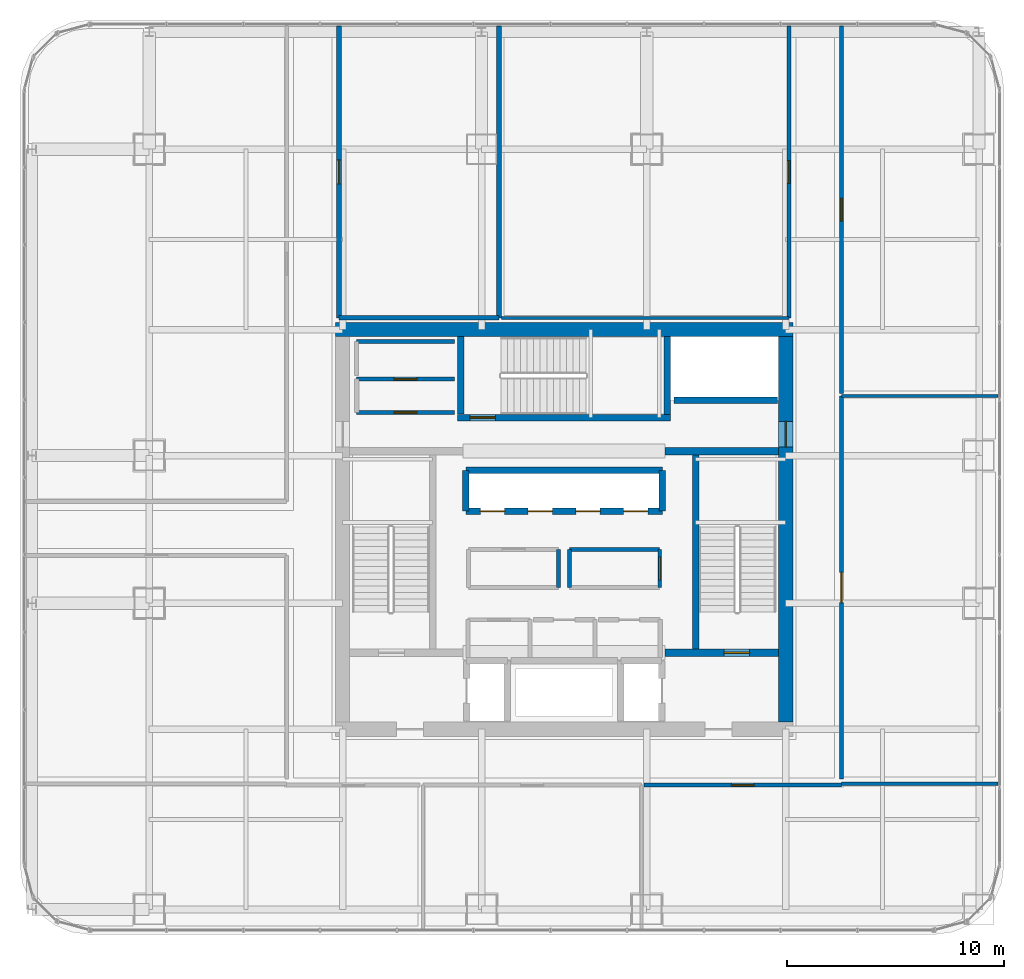
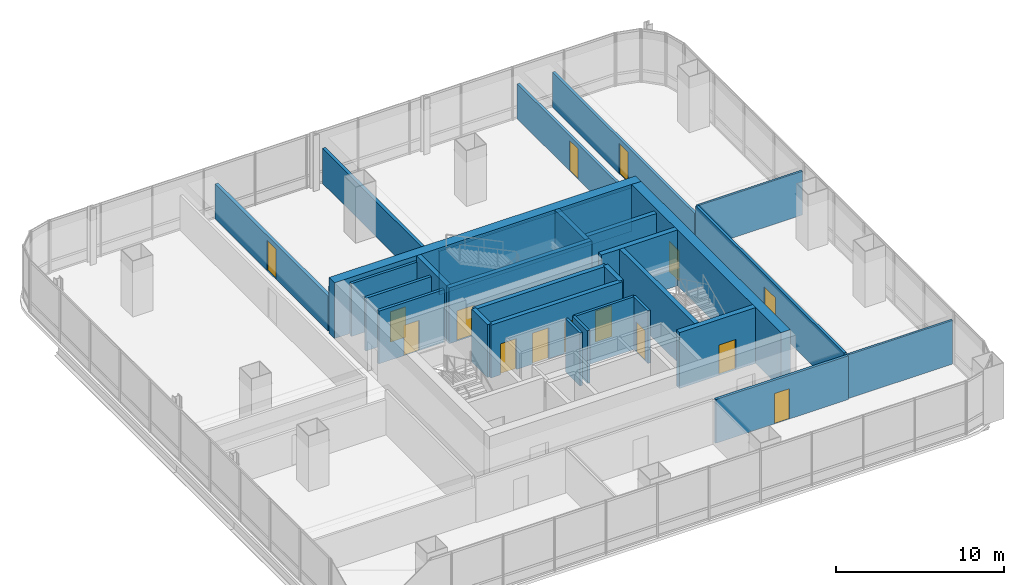
# One storey, part 31 of 37: 30 walls, 15 doors, 15 openings.
"""IFC4 building model written with IfcOpenShell, lengths in metres."""

from ifc_helpers import new_model, si_unit, direction, frame, frame_2d, origin, place, context, subcontext, project, spatial, rectangle, extrude, material, layer, layer_set, type_object, element, fill, save


model = new_model("IFC4")

# Units and contexts
model_context = context("Model", 3, precision=1e-05, world=origin(), true_north=direction((0.0, 1.0)))
body_context = subcontext(model_context, "Body", "Model", "MODEL_VIEW")
ifc_project = project(units=[si_unit("LENGTHUNIT", "METRE"), si_unit("AREAUNIT", "SQUARE_METRE"), si_unit("VOLUMEUNIT", "CUBIC_METRE"), si_unit("PLANEANGLEUNIT", "RADIAN"), si_unit("MASSUNIT", "GRAM", prefix="KILO")], contexts=[model_context])

# Site, building, storey
site_placement = place(None, origin())
site = spatial("IfcSite", under=ifc_project, at=site_placement, CompositionType="ELEMENT")
building_placement = place(site_placement, origin())
building = spatial("IfcBuilding", under=site, at=building_placement, Name="Punatoya Terracotta Tower", CompositionType="ELEMENT")
storey_placement = place(building_placement, frame((0.0, 0.0, 164.10009765625)))
storey = spatial("IfcBuildingStorey", under=building, at=storey_placement, Name="L38", CompositionType="ELEMENT", Elevation=164.10009765625)

# Wall
ifc_material_1 = material(Name="Concrete C60/75", Category="concrete")
ifc_layer_1 = layer(ifc_material_1, 0.64990234375)
ifc_layer_set_1 = layer_set([ifc_layer_1], Name="Concrete C60/75")
wall_type_1 = type_object("IfcWallType", Name="WL-COR-650", PredefinedType="SHEAR", material=ifc_layer_set_1)
wall_1_placement = place(storey_placement, frame((-10.52490234375, 9.199951171875, 0.0), z_axis=(0.0, 0.0, 1.0), x_axis=(1.0, 0.0, 0.0)))
element("IfcWall", 1, at=wall_1_placement, inside=storey, type_object=wall_type_1, Name="L38 Core Shear Wall N", PredefinedType="SHEAR", context=body_context, shape_type="SweptSolid", body=[
    extrude(rectangle(XDim=21.0498046875, YDim=0.64990234375, at=frame_2d((10.52490234375, 0.0))), origin(), (0.0, 0.0, 1.0), 4.0498046875),
])

# Wall, opening, door
wall_2_placement = place(storey_placement, frame((10.199951171875, 8.875, 0.0), z_axis=(0.0, 0.0, 1.0), x_axis=(0.0, -1.0, 0.0)))
wall_2 = element("IfcWall", 2, at=wall_2_placement, inside=storey, type_object=wall_type_1, Name="L38 Core Shear Wall E", PredefinedType="SHEAR", context=body_context, shape_type="SweptSolid", body=[
    extrude(rectangle(XDim=17.75, YDim=0.64990234375, at=frame_2d((8.875, 0.0))), origin(), (0.0, 0.0, 1.0), 4.0498046875),
])
opening_1_placement = place(wall_2_placement, frame((3.905029296875, 0.0, 0.0)))
opening_1 = element("IfcOpeningElement", 3, at=opening_1_placement, cuts=wall_2, Name="Opening SD-01", PredefinedType="OPENING", context=body_context, shape_type="SweptSolid", body=[
    extrude(rectangle(XDim=1.179931640625, YDim=2.199951171875, at=frame_2d((0.58984375, 1.10009765625))), frame((0.0, 0.3349609375, 0.0), z_axis=(0.0, -1.0, 0.0), x_axis=(1.0, 0.0, 0.0)), (0.0, 0.0, 1.0), 0.669921875),
])
ifc_material_2 = material(Name="Galvanised Steel Pressurized Stair Fire Door", Category="steel")
door_type_1 = type_object("IfcDoorType", Name="DR-STR-1180", OperationType="NOTDEFINED", PredefinedType="DOOR", material=ifc_material_2)
door_1_placement = place(opening_1_placement, origin())
door_1 = element("IfcDoor", 4, at=door_1_placement, inside=storey, type_object=door_type_1, Name="L38 Central Lift Lobby East Fire Door", OperationType="SINGLE_SWING_RIGHT", OverallHeight=2.199951171875, OverallWidth=1.179931640625, PredefinedType="DOOR", context=body_context, shape_type="SweptSolid", body=[
    extrude(rectangle(XDim=1.179931640625, YDim=2.199951171875, at=frame_2d((0.58984375, 1.10009765625))), frame((0.0, 0.02490234375, 0.0), z_axis=(0.0, -1.0, 0.0), x_axis=(1.0, 0.0, 0.0)), (0.0, 0.0, 1.0), 0.050048828125),
])
fill(opening_1, door_1)

# Wall
ifc_material_3 = material(Name="Gypsum Fireboard + Steel Stud", Category="steel")
ifc_layer_2 = layer(ifc_material_3, 0.179931640625)
ifc_layer_set_2 = layer_set([ifc_layer_2], Name="Gypsum Fireboard + Steel Stud")
wall_type_2 = type_object("IfcWallType", Name="WL-CORR-180", PredefinedType="PARTITIONING", material=ifc_layer_set_2)
wall_3_placement = place(storey_placement, frame((-0.25, -2.679931640625, 0.0), z_axis=(0.0, 0.0, 1.0), x_axis=(0.0, 1.0, 0.0)))
element("IfcWall", 5, at=wall_3_placement, inside=storey, type_object=wall_type_2, Name="L38 West Core Focus Pod Partition 08", PredefinedType="PARTITIONING", context=body_context, shape_type="SweptSolid", body=[
    extrude(rectangle(XDim=1.760009765625, YDim=0.179931640625, at=frame_2d((0.8798828125, 0.0))), origin(), (0.0, 0.0, 1.0), 3.829833984375),
])

# Wall, opening, door
wall_4_placement = place(storey_placement, frame((4.39990234375, -2.679931640625, 0.0), z_axis=(0.0, 0.0, 1.0), x_axis=(0.0, 1.0, 0.0)))
wall_4 = element("IfcWall", 6, at=wall_4_placement, inside=storey, type_object=wall_type_2, Name="L38 East Core Wellness Room Partition 12", PredefinedType="PARTITIONING", context=body_context, shape_type="SweptSolid", body=[
    extrude(rectangle(XDim=1.760009765625, YDim=0.179931640625, at=frame_2d((0.8798828125, 0.0))), origin(), (0.0, 0.0, 1.0), 3.829833984375),
])
opening_2_placement = place(wall_4_placement, frame((0.35498046875, 0.0, 0.0)))
opening_2 = element("IfcOpeningElement", 7, at=opening_2_placement, cuts=wall_4, Name="Opening OD-01", PredefinedType="OPENING", context=body_context, shape_type="SweptSolid", body=[
    extrude(rectangle(XDim=1.050048828125, YDim=2.199951171875, at=frame_2d((0.52490234375, 1.10009765625))), frame((0.0, 0.099853515625, 0.0), z_axis=(0.0, -1.0, 0.0), x_axis=(1.0, 0.0, 0.0)), (0.0, 0.0, 1.0), 0.199951171875),
])
ifc_material_4 = material(Name="Bengal Teak Solid-Core Leaf")
door_type_2 = type_object("IfcDoorType", Name="DR-OFF-1050", OperationType="NOTDEFINED", PredefinedType="DOOR", material=ifc_material_4)
door_2_placement = place(opening_2_placement, origin())
door_2 = element("IfcDoor", 8, at=door_2_placement, inside=storey, type_object=door_type_2, Name="L38 East Wellness Room Door", OperationType="SINGLE_SWING_LEFT", OverallHeight=2.199951171875, OverallWidth=1.050048828125, PredefinedType="DOOR", context=body_context, shape_type="SweptSolid", body=[
    extrude(rectangle(XDim=1.050048828125, YDim=2.199951171875, at=frame_2d((0.52490234375, 1.10009765625))), frame((0.0, 0.02490234375, 0.0), z_axis=(0.0, -1.0, 0.0), x_axis=(1.0, 0.0, 0.0)), (0.0, 0.0, 1.0), 0.050048828125),
])
fill(opening_2, door_2)

# Walls
wall_5_placement = place(storey_placement, frame((4.39990234375, -0.919921875, 0.0), z_axis=(0.0, 0.0, 1.0), x_axis=(-1.0, 0.0, 0.0)))
element("IfcWall", 9, at=wall_5_placement, inside=storey, type_object=wall_type_2, Name="L38 East Core Wellness Room Partition 13", PredefinedType="PARTITIONING", context=body_context, shape_type="SweptSolid", body=[
    extrude(rectangle(XDim=4.14990234375, YDim=0.179931640625, at=frame_2d((2.074951171875, 0.0))), origin(), (0.0, 0.0, 1.0), 3.829833984375),
])
wall_6_placement = place(storey_placement, frame((0.25, -0.919921875, 0.0), z_axis=(0.0, 0.0, 1.0), x_axis=(0.0, -1.0, 0.0)))
element("IfcWall", 10, at=wall_6_placement, inside=storey, type_object=wall_type_2, Name="L38 East Core Wellness Room Partition 14", PredefinedType="PARTITIONING", context=body_context, shape_type="SweptSolid", body=[
    extrude(rectangle(XDim=1.760009765625, YDim=0.179931640625, at=frame_2d((0.8798828125, 0.0))), origin(), (0.0, 0.0, 1.0), 3.829833984375),
])
wall_7_placement = place(storey_placement, frame((-5.050048828125, 8.64990234375, 0.0), z_axis=(0.0, 0.0, 1.0), x_axis=(-1.0, 0.0, 0.0)))
element("IfcWall", 11, at=wall_7_placement, inside=storey, type_object=wall_type_2, Name="L38 West Core Copy Room Partition 19", PredefinedType="PARTITIONING", context=body_context, shape_type="SweptSolid", body=[
    extrude(rectangle(XDim=4.5, YDim=0.179931640625, at=frame_2d((2.25, 0.0))), origin(), (0.0, 0.0, 1.0), 3.829833984375),
])

# Wall, opening, door
wall_8_placement = place(storey_placement, frame((3.678955078125, -11.77001953125, 0.0), z_axis=(0.0, 0.0, 1.0), x_axis=(1.0, 0.0, 0.0)))
wall_8 = element("IfcWall", 12, at=wall_8_placement, inside=storey, type_object=wall_type_2, Name="L38 Open-Plan Materials Testing Laboratory Partition 27", PredefinedType="PARTITIONING", context=body_context, shape_type="SweptSolid", body=[
    extrude(rectangle(XDim=9.091064453125, YDim=0.179931640625, at=frame_2d((4.54541015625, 0.0))), origin(), (0.0, 0.0, 1.0), 3.173828125),
])
opening_3_placement = place(wall_8_placement, frame((4.0205078125, 0.0, 0.0)))
opening_3 = element("IfcOpeningElement", 13, at=opening_3_placement, cuts=wall_8, Name="Opening OD-01", PredefinedType="OPENING", context=body_context, shape_type="SweptSolid", body=[
    extrude(rectangle(XDim=1.050048828125, YDim=2.199951171875, at=frame_2d((0.52490234375, 1.10009765625))), frame((0.0, 0.099853515625, 0.0), z_axis=(0.0, -1.0, 0.0), x_axis=(1.0, 0.0, 0.0)), (0.0, 0.0, 1.0), 0.199951171875),
])
door_3_placement = place(opening_3_placement, origin())
door_3 = element("IfcDoor", 14, at=door_3_placement, inside=storey, type_object=door_type_2, Name="L38 Open-Plan Materials Testing Laboratory Door", OperationType="SINGLE_SWING_RIGHT", OverallHeight=2.199951171875, OverallWidth=1.050048828125, PredefinedType="DOOR", context=body_context, shape_type="SweptSolid", body=[
    extrude(rectangle(XDim=1.050048828125, YDim=2.199951171875, at=frame_2d((0.52490234375, 1.10009765625))), frame((0.0, 0.02490234375, 0.0), z_axis=(0.0, -1.0, 0.0), x_axis=(1.0, 0.0, 0.0)), (0.0, 0.0, 1.0), 0.050048828125),
])
fill(opening_3, door_3)

wall_9_placement = place(storey_placement, frame((12.77001953125, -11.489990234375, 0.0), z_axis=(0.0, 0.0, 1.0), x_axis=(0.0, 1.0, 0.0)))
wall_9 = element("IfcWall", 15, at=wall_9_placement, inside=storey, type_object=wall_type_2, Name="L38 Open-Plan Technical Seminar Room Partition 31", PredefinedType="PARTITIONING", context=body_context, shape_type="SweptSolid", body=[
    extrude(rectangle(XDim=17.6298828125, YDim=0.179931640625, at=frame_2d((8.81494140625, 0.0))), origin(), (0.0, 0.0, 1.0), 3.173828125),
])
opening_4_placement = place(wall_9_placement, frame((8.114990234375, 0.0, 0.0)))
opening_4 = element("IfcOpeningElement", 16, at=opening_4_placement, cuts=wall_9, Name="Opening BD-01", PredefinedType="OPENING", context=body_context, shape_type="SweptSolid", body=[
    extrude(rectangle(XDim=1.39990234375, YDim=2.25, at=frame_2d((0.699951171875, 1.125))), frame((0.0, 0.099853515625, 0.0), z_axis=(0.0, -1.0, 0.0), x_axis=(1.0, 0.0, 0.0)), (0.0, 0.0, 1.0), 0.199951171875),
])
ifc_material_5 = material(Name="Bengal Teak Acoustic Leaf")
door_type_3 = type_object("IfcDoorType", Name="DR-BRD-1400", OperationType="NOTDEFINED", PredefinedType="DOOR", material=ifc_material_5)
door_4_placement = place(opening_4_placement, origin())
door_4 = element("IfcDoor", 17, at=door_4_placement, inside=storey, type_object=door_type_3, Name="L38 Open-Plan Technical Seminar Room Door", OperationType="SINGLE_SWING_RIGHT", OverallHeight=2.25, OverallWidth=1.39990234375, PredefinedType="DOOR", context=body_context, shape_type="SweptSolid", body=[
    extrude(rectangle(XDim=1.39990234375, YDim=2.25, at=frame_2d((0.699951171875, 1.125))), frame((0.0, 0.02490234375, 0.0), z_axis=(0.0, -1.0, 0.0), x_axis=(1.0, 0.0, 0.0)), (0.0, 0.0, 1.0), 0.050048828125),
])
fill(opening_4, door_4)

wall_10_placement = place(storey_placement, frame((12.77001953125, 6.260009765625, 0.0), z_axis=(0.0, 0.0, 1.0), x_axis=(0.0, 1.0, 0.0)))
wall_10 = element("IfcWall", 18, at=wall_10_placement, inside=storey, type_object=wall_type_2, Name="L38 Open-Plan Wellness Rest Room Partition 34", PredefinedType="PARTITIONING", context=body_context, shape_type="SweptSolid", body=[
    extrude(rectangle(XDim=16.909912109375, YDim=0.179931640625, at=frame_2d((8.455078125, 0.0))), origin(), (0.0, 0.0, 1.0), 2.5439453125),
])
opening_5_placement = place(wall_10_placement, frame((7.929931640625, 0.0, 0.0)))
opening_5 = element("IfcOpeningElement", 19, at=opening_5_placement, cuts=wall_10, Name="Opening OD-01", PredefinedType="OPENING", context=body_context, shape_type="SweptSolid", body=[
    extrude(rectangle(XDim=1.050048828125, YDim=2.199951171875, at=frame_2d((0.52490234375, 1.10009765625))), frame((0.0, 0.099853515625, 0.0), z_axis=(0.0, -1.0, 0.0), x_axis=(1.0, 0.0, 0.0)), (0.0, 0.0, 1.0), 0.199951171875),
])
door_5_placement = place(opening_5_placement, origin())
door_5 = element("IfcDoor", 20, at=door_5_placement, inside=storey, type_object=door_type_2, Name="L38 Open-Plan Wellness Rest Room Door", OperationType="SINGLE_SWING_RIGHT", OverallHeight=2.199951171875, OverallWidth=1.050048828125, PredefinedType="DOOR", context=body_context, shape_type="SweptSolid", body=[
    extrude(rectangle(XDim=1.050048828125, YDim=2.199951171875, at=frame_2d((0.52490234375, 1.10009765625))), frame((0.0, 0.02490234375, 0.0), z_axis=(0.0, -1.0, 0.0), x_axis=(1.0, 0.0, 0.0)), (0.0, 0.0, 1.0), 0.050048828125),
])
fill(opening_5, door_5)

wall_11_placement = place(storey_placement, frame((10.360107421875, 23.169921875, 0.0), z_axis=(0.0, 0.0, 1.0), x_axis=(0.0, -1.0, 0.0)))
wall_11 = element("IfcWall", 21, at=wall_11_placement, inside=storey, type_object=wall_type_2, Name="L38 Hydrology Modelling Laboratory Partition 39", PredefinedType="PARTITIONING", context=body_context, shape_type="SweptSolid", body=[
    extrude(rectangle(XDim=13.429931640625, YDim=0.179931640625, at=frame_2d((6.71484375, 0.0))), origin(), (0.0, 0.0, 1.0), 2.5439453125),
])
opening_6_placement = place(wall_11_placement, frame((6.18994140625, 0.0, 0.0)))
opening_6 = element("IfcOpeningElement", 22, at=opening_6_placement, cuts=wall_11, Name="Opening OD-01", PredefinedType="OPENING", context=body_context, shape_type="SweptSolid", body=[
    extrude(rectangle(XDim=1.050048828125, YDim=2.199951171875, at=frame_2d((0.52490234375, 1.10009765625))), frame((0.0, 0.099853515625, 0.0), z_axis=(0.0, -1.0, 0.0), x_axis=(1.0, 0.0, 0.0)), (0.0, 0.0, 1.0), 0.199951171875),
])
door_6_placement = place(opening_6_placement, origin())
door_6 = element("IfcDoor", 23, at=door_6_placement, inside=storey, type_object=door_type_2, Name="L38 Hydrology Modelling Laboratory Door", OperationType="SINGLE_SWING_RIGHT", OverallHeight=2.199951171875, OverallWidth=1.050048828125, PredefinedType="DOOR", context=body_context, shape_type="SweptSolid", body=[
    extrude(rectangle(XDim=1.050048828125, YDim=2.199951171875, at=frame_2d((0.52490234375, 1.10009765625))), frame((0.0, 0.02490234375, 0.0), z_axis=(0.0, -1.0, 0.0), x_axis=(1.0, 0.0, 0.0)), (0.0, 0.0, 1.0), 0.050048828125),
])
fill(opening_6, door_6)

# Walls
ifc_material_6 = material(Name="Concrete C40/50", Category="concrete")
ifc_layer_3 = layer(ifc_material_6, 0.219970703125)
ifc_layer_set_3 = layer_set([ifc_layer_3], Name="Concrete C40/50")
wall_type_3 = type_object("IfcWallType", Name="WL-FIR-220", PredefinedType="SOLIDWALL", material=ifc_layer_set_3)
wall_12_placement = place(storey_placement, frame((-2.993896484375, 23.169921875, 0.0), z_axis=(0.0, 0.0, 1.0), x_axis=(0.0, -1.0, 0.0)))
element("IfcWall", 24, at=wall_12_placement, inside=storey, type_object=wall_type_3, Name="L38 Open-Plan Geospatial Data Archive Partition 35", PredefinedType="SOLIDWALL", context=body_context, shape_type="SweptSolid", body=[
    extrude(rectangle(XDim=13.429931640625, YDim=0.219970703125, at=frame_2d((6.71484375, 0.0))), origin(), (0.0, 0.0, 1.0), 2.5439453125),
])
wall_13_placement = place(storey_placement, frame((-2.993896484375, 9.739990234375, 0.0), z_axis=(0.0, 0.0, 1.0), x_axis=(-1.0, 0.0, 0.0)))
element("IfcWall", 25, at=wall_13_placement, inside=storey, type_object=wall_type_3, Name="L38 Open-Plan Geospatial Data Archive Partition 36", PredefinedType="SOLIDWALL", context=body_context, shape_type="SweptSolid", body=[
    extrude(rectangle(XDim=7.3662109375, YDim=0.219970703125, at=frame_2d((3.68310546875, 0.0))), origin(), (0.0, 0.0, 1.0), 3.173828125),
])

# Wall, opening, door
wall_14_placement = place(storey_placement, frame((-10.360107421875, 9.739990234375, 0.0), z_axis=(0.0, 0.0, 1.0), x_axis=(0.0, 1.0, 0.0)))
wall_14 = element("IfcWall", 26, at=wall_14_placement, inside=storey, type_object=wall_type_3, Name="L38 Open-Plan Geospatial Data Archive Partition 37", PredefinedType="SOLIDWALL", context=body_context, shape_type="SweptSolid", body=[
    extrude(rectangle(XDim=13.429931640625, YDim=0.219970703125, at=frame_2d((6.71484375, 0.0))), origin(), (0.0, 0.0, 1.0), 2.5439453125),
])
opening_7_placement = place(wall_14_placement, frame((6.1650390625, 0.0, 0.0)))
opening_7 = element("IfcOpeningElement", 27, at=opening_7_placement, cuts=wall_14, Name="Opening FD-P1", PredefinedType="OPENING", context=body_context, shape_type="SweptSolid", body=[
    extrude(rectangle(XDim=1.10009765625, YDim=2.199951171875, at=frame_2d((0.550048828125, 1.10009765625))), frame((0.0, 0.119873046875, 0.0), z_axis=(0.0, -1.0, 0.0), x_axis=(1.0, 0.0, 0.0)), (0.0, 0.0, 1.0), 0.239990234375),
])
ifc_material_7 = material(Name="Galvanised Steel Plant Fire Door", Category="steel")
door_type_4 = type_object("IfcDoorType", Name="DR-PLT-1100", OperationType="NOTDEFINED", PredefinedType="DOOR", material=ifc_material_7)
door_7_placement = place(opening_7_placement, origin())
door_7 = element("IfcDoor", 28, at=door_7_placement, inside=storey, type_object=door_type_4, Name="L38 Open-Plan Geospatial Data Archive Fire Door", OperationType="SINGLE_SWING_LEFT", OverallHeight=2.199951171875, OverallWidth=1.10009765625, PredefinedType="DOOR", context=body_context, shape_type="SweptSolid", body=[
    extrude(rectangle(XDim=1.10009765625, YDim=2.199951171875, at=frame_2d((0.550048828125, 1.10009765625))), frame((0.0, 0.02490234375, 0.0), z_axis=(0.0, -1.0, 0.0), x_axis=(1.0, 0.0, 0.0)), (0.0, 0.0, 1.0), 0.050048828125),
])
fill(opening_7, door_7)

ifc_layer_4 = layer(ifc_material_6, 0.199951171875)
ifc_layer_set_4 = layer_set([ifc_layer_4], Name="Concrete C40/50")
wall_type_4 = type_object("IfcWallType", Name="WL-INT-200", PredefinedType="SOLIDWALL", material=ifc_layer_set_4)
wall_15_placement = place(storey_placement, frame((-5.050048828125, 6.919921875, 0.0), z_axis=(0.0, 0.0, 1.0), x_axis=(-1.0, 0.0, 0.0)))
wall_15 = element("IfcWall", 29, at=wall_15_placement, inside=storey, type_object=wall_type_4, Name="L38 West Core Tea Pantry Partition 16", PredefinedType="SOLIDWALL", context=body_context, shape_type="SweptSolid", body=[
    extrude(rectangle(XDim=4.5, YDim=0.199951171875, at=frame_2d((2.25, 0.0))), origin(), (0.0, 0.0, 1.0), 3.829833984375),
])
opening_8_placement = place(wall_15_placement, frame((1.72509765625, 0.0, 0.0)))
opening_8 = element("IfcOpeningElement", 30, at=opening_8_placement, cuts=wall_15, Name="Opening OD-01", PredefinedType="OPENING", context=body_context, shape_type="SweptSolid", body=[
    extrude(rectangle(XDim=1.050048828125, YDim=2.199951171875, at=frame_2d((0.52490234375, 1.10009765625))), frame((0.0, 0.10986328125, 0.0), z_axis=(0.0, -1.0, 0.0), x_axis=(1.0, 0.0, 0.0)), (0.0, 0.0, 1.0), 0.219970703125),
])
door_8_placement = place(opening_8_placement, origin())
door_8 = element("IfcDoor", 31, at=door_8_placement, inside=storey, type_object=door_type_2, Name="L38 West Copy Room Door", OperationType="SINGLE_SWING_LEFT", OverallHeight=2.199951171875, OverallWidth=1.050048828125, PredefinedType="DOOR", context=body_context, shape_type="SweptSolid", body=[
    extrude(rectangle(XDim=1.050048828125, YDim=2.199951171875, at=frame_2d((0.52490234375, 1.10009765625))), frame((0.0, 0.02490234375, 0.0), z_axis=(0.0, -1.0, 0.0), x_axis=(1.0, 0.0, 0.0)), (0.0, 0.0, 1.0), 0.050048828125),
])
fill(opening_8, door_8)

wall_16_placement = place(storey_placement, frame((-9.550048828125, 5.3798828125, 0.0), z_axis=(0.0, 0.0, 1.0), x_axis=(1.0, 0.0, 0.0)))
wall_16 = element("IfcWall", 32, at=wall_16_placement, inside=storey, type_object=wall_type_4, Name="L38 West Core Tea Pantry Partition 18", PredefinedType="SOLIDWALL", context=body_context, shape_type="SweptSolid", body=[
    extrude(rectangle(XDim=4.5, YDim=0.199951171875, at=frame_2d((2.25, 0.0))), origin(), (0.0, 0.0, 1.0), 3.829833984375),
])
opening_9_placement = place(wall_16_placement, frame((1.72509765625, 0.0, 0.0)))
opening_9 = element("IfcOpeningElement", 33, at=opening_9_placement, cuts=wall_16, Name="Opening OD-01", PredefinedType="OPENING", context=body_context, shape_type="SweptSolid", body=[
    extrude(rectangle(XDim=1.050048828125, YDim=2.199951171875, at=frame_2d((0.52490234375, 1.10009765625))), frame((0.0, 0.10986328125, 0.0), z_axis=(0.0, -1.0, 0.0), x_axis=(1.0, 0.0, 0.0)), (0.0, 0.0, 1.0), 0.219970703125),
])
door_9_placement = place(opening_9_placement, origin())
door_9 = element("IfcDoor", 34, at=door_9_placement, inside=storey, type_object=door_type_2, Name="L38 West Tea Pantry Door", OperationType="SINGLE_SWING_RIGHT", OverallHeight=2.199951171875, OverallWidth=1.050048828125, PredefinedType="DOOR", context=body_context, shape_type="SweptSolid", body=[
    extrude(rectangle(XDim=1.050048828125, YDim=2.199951171875, at=frame_2d((0.52490234375, 1.10009765625))), frame((0.0, 0.02490234375, 0.0), z_axis=(0.0, -1.0, 0.0), x_axis=(1.0, 0.0, 0.0)), (0.0, 0.0, 1.0), 0.050048828125),
])
fill(opening_9, door_9)

# Walls
ifc_material_8 = material(Name="Acoustic Gypsum + Steel Stud", Category="steel")
ifc_layer_5 = layer(ifc_material_8, 0.139892578125)
ifc_layer_set_5 = layer_set([ifc_layer_5], Name="Acoustic Gypsum + Steel Stud")
wall_type_5 = type_object("IfcWallType", Name="WL-OFF-140", PredefinedType="PARTITIONING", material=ifc_layer_set_5)
for number, where, z_axis, x_axis, name in (
    (35, (12.77001953125, -11.7099609375, 0.0), (0.0, 0.0, 1.0), (1.0, 0.0, 0.0), "L38 Open-Plan Materials Testing Laboratory Partition 26"),
    (36, (12.77001953125, 6.139892578125, 0.0), (0.0, 0.0, 1.0), (1.0, 0.0, 0.0), "L38 Open-Plan Technical Seminar Room Partition 30"),
):
    element("IfcWall", number, at=place(storey_placement, frame(where, z_axis=z_axis, x_axis=x_axis)), inside=storey, type_object=wall_type_5, Name=name, PredefinedType="PARTITIONING", context=body_context, shape_type="SweptSolid", body=[
        extrude(rectangle(XDim=7.199951171875, YDim=0.139892578125, at=frame_2d((3.60009765625, 0.0))), origin(), (0.0, 0.0, 1.0), 3.173828125),
    ])
wall_17_placement = place(storey_placement, frame((10.360107421875, 9.739990234375, 0.0), z_axis=(0.0, 0.0, 1.0), x_axis=(-1.0, 0.0, 0.0)))
element("IfcWall", 37, at=wall_17_placement, inside=storey, type_object=wall_type_5, Name="L38 Hydrology Modelling Laboratory Partition 38", PredefinedType="PARTITIONING", context=body_context, shape_type="SweptSolid", body=[
    extrude(rectangle(XDim=13.234130859375, YDim=0.139892578125, at=frame_2d((6.6171875, 0.0))), origin(), (0.0, 0.0, 1.0), 3.173828125),
])
ifc_layer_6 = layer(ifc_material_6, 0.300048828125)
ifc_layer_set_6 = layer_set([ifc_layer_6], Name="Concrete C40/50")
wall_type_6 = type_object("IfcWallType", Name="WL-SHF-300", PredefinedType="SOLIDWALL", material=ifc_layer_set_6)
wall_18_placement = place(storey_placement, frame((6.050048828125, 3.449951171875, 0.0), z_axis=(0.0, 0.0, 1.0), x_axis=(0.0, -1.0, 0.0)))
element("IfcWall", 38, at=wall_18_placement, inside=storey, type_object=wall_type_6, Name="L38 Structural Stair Shaft Wall SW-ST2-W", PredefinedType="SOLIDWALL", context=body_context, shape_type="SweptSolid", body=[
    extrude(rectangle(XDim=8.949951171875, YDim=0.300048828125, at=frame_2d((4.47509765625, 0.0))), origin(), (0.0, 0.0, 1.0), 4.0498046875),
])
for number, where, z_axis, x_axis, name in (
    (39, (-4.75, 5.300048828125, 0.0), (0.0, 0.0, 1.0), (0.0, 1.0, 0.0), "L38 Structural Stair Shaft Wall SW-ST3-W"),
    (40, (4.75, 8.875, 0.0), (0.0, 0.0, 1.0), (0.0, -1.0, 0.0), "L38 Structural Stair Shaft Wall SW-ST3-E"),
):
    element("IfcWall", number, at=place(storey_placement, frame(where, z_axis=z_axis, x_axis=x_axis)), inside=storey, type_object=wall_type_6, Name=name, PredefinedType="SOLIDWALL", context=body_context, shape_type="SweptSolid", body=[
        extrude(rectangle(XDim=3.574951171875, YDim=0.300048828125, at=frame_2d((1.78759765625, 0.0))), origin(), (0.0, 0.0, 1.0), 4.0498046875),
    ])

# Wall, opening, door
wall_19_placement = place(storey_placement, frame((-4.89990234375, 5.14990234375, 0.0), z_axis=(0.0, 0.0, 1.0), x_axis=(1.0, 0.0, 0.0)))
wall_19 = element("IfcWall", 41, at=wall_19_placement, inside=storey, type_object=wall_type_6, Name="L38 Structural Stair Shaft Wall SW-ST3-S", PredefinedType="SOLIDWALL", context=body_context, shape_type="SweptSolid", body=[
    extrude(rectangle(XDim=9.7998046875, YDim=0.300048828125, at=frame_2d((4.89990234375, 0.0))), origin(), (0.0, 0.0, 1.0), 4.0498046875),
])
opening_10_placement = place(wall_19_placement, frame((0.56005859375, 0.0, 0.0)))
opening_10 = element("IfcOpeningElement", 42, at=opening_10_placement, cuts=wall_19, Name="Opening SD-01", PredefinedType="OPENING", context=body_context, shape_type="SweptSolid", body=[
    extrude(rectangle(XDim=1.179931640625, YDim=2.199951171875, at=frame_2d((0.58984375, 1.10009765625))), frame((0.0, 0.159912109375, 0.0), z_axis=(0.0, -1.0, 0.0), x_axis=(1.0, 0.0, 0.0)), (0.0, 0.0, 1.0), 0.320068359375),
])
door_10_placement = place(opening_10_placement, origin())
door_10 = element("IfcDoor", 43, at=door_10_placement, inside=storey, type_object=door_type_1, Name="L38 Stair ST-3 Core Lobby Fire Door", OperationType="SINGLE_SWING_LEFT", OverallHeight=2.199951171875, OverallWidth=1.179931640625, PredefinedType="DOOR", context=body_context, shape_type="SweptSolid", body=[
    extrude(rectangle(XDim=1.179931640625, YDim=2.199951171875, at=frame_2d((0.58984375, 1.10009765625))), frame((0.0, 0.02490234375, 0.0), z_axis=(0.0, -1.0, 0.0), x_axis=(1.0, 0.0, 0.0)), (0.0, 0.0, 1.0), 0.050048828125),
])
fill(opening_10, door_10)

# Wall, openings, doors
wall_20_placement = place(storey_placement, frame((-4.52001953125, 0.840087890625, 0.0), z_axis=(0.0, 0.0, 1.0), x_axis=(1.0, 0.0, 0.0)))
wall_20 = element("IfcWall", 44, at=wall_20_placement, inside=storey, type_object=wall_type_6, Name="L38 North Lift Bank Front Shaft Wall", PredefinedType="SOLIDWALL", context=body_context, shape_type="SweptSolid", body=[
    extrude(rectangle(XDim=9.0400390625, YDim=0.300048828125, at=frame_2d((4.52001953125, 0.0))), origin(), (0.0, 0.0, 1.0), 3.829833984375),
])
opening_11_placement = place(wall_20_placement, frame((0.659912109375, 0.0, 0.0)))
opening_11 = element("IfcOpeningElement", 45, at=opening_11_placement, cuts=wall_20, Name="Opening LD-02", PredefinedType="OPENING", context=body_context, shape_type="SweptSolid", body=[
    extrude(rectangle(XDim=1.1201171875, YDim=2.25, at=frame_2d((0.56005859375, 1.125))), frame((0.0, 0.159912109375, 0.0), z_axis=(0.0, -1.0, 0.0), x_axis=(1.0, 0.0, 0.0)), (0.0, 0.0, 1.0), 0.320068359375),
])
opening_12_placement = place(wall_20_placement, frame((2.860107421875, 0.0, 0.0)))
opening_12 = element("IfcOpeningElement", 46, at=opening_12_placement, cuts=wall_20, Name="Opening LD-02", PredefinedType="OPENING", context=body_context, shape_type="SweptSolid", body=[
    extrude(rectangle(XDim=1.1201171875, YDim=2.25, at=frame_2d((0.56005859375, 1.125))), frame((0.0, 0.159912109375, 0.0), z_axis=(0.0, -1.0, 0.0), x_axis=(1.0, 0.0, 0.0)), (0.0, 0.0, 1.0), 0.320068359375),
])
opening_13_placement = place(wall_20_placement, frame((5.06005859375, 0.0, 0.0)))
opening_13 = element("IfcOpeningElement", 47, at=opening_13_placement, cuts=wall_20, Name="Opening LD-02", PredefinedType="OPENING", context=body_context, shape_type="SweptSolid", body=[
    extrude(rectangle(XDim=1.1201171875, YDim=2.25, at=frame_2d((0.56005859375, 1.125))), frame((0.0, 0.159912109375, 0.0), z_axis=(0.0, -1.0, 0.0), x_axis=(1.0, 0.0, 0.0)), (0.0, 0.0, 1.0), 0.320068359375),
])
opening_14_placement = place(wall_20_placement, frame((7.260009765625, 0.0, 0.0)))
opening_14 = element("IfcOpeningElement", 48, at=opening_14_placement, cuts=wall_20, Name="Opening LD-02", PredefinedType="OPENING", context=body_context, shape_type="SweptSolid", body=[
    extrude(rectangle(XDim=1.1201171875, YDim=2.25, at=frame_2d((0.56005859375, 1.125))), frame((0.0, 0.159912109375, 0.0), z_axis=(0.0, -1.0, 0.0), x_axis=(1.0, 0.0, 0.0)), (0.0, 0.0, 1.0), 0.320068359375),
])
ifc_material_9 = material(Name="Stainless Steel Lift Landing Door", Category="steel")
door_type_5 = type_object("IfcDoorType", Name="DR-LND-1120", OperationType="NOTDEFINED", PredefinedType="DOOR", material=ifc_material_9)
door_11_placement = place(opening_11_placement, origin())
door_11 = element("IfcDoor", 49, at=door_11_placement, inside=storey, type_object=door_type_5, Name="L38 Lift PL-M1 Sliding Landing Door", OperationType="DOUBLE_DOOR_SLIDING", OverallHeight=2.25, OverallWidth=1.1201171875, PredefinedType="DOOR", context=body_context, shape_type="SweptSolid", body=[
    extrude(rectangle(XDim=1.1201171875, YDim=2.25, at=frame_2d((0.56005859375, 1.125))), frame((0.0, 0.02490234375, 0.0), z_axis=(0.0, -1.0, 0.0), x_axis=(1.0, 0.0, 0.0)), (0.0, 0.0, 1.0), 0.050048828125),
])
fill(opening_11, door_11)
door_12_placement = place(opening_12_placement, origin())
door_12 = element("IfcDoor", 50, at=door_12_placement, inside=storey, type_object=door_type_5, Name="L38 Lift PL-M2 Sliding Landing Door", OperationType="DOUBLE_DOOR_SLIDING", OverallHeight=2.25, OverallWidth=1.1201171875, PredefinedType="DOOR", context=body_context, shape_type="SweptSolid", body=[
    extrude(rectangle(XDim=1.1201171875, YDim=2.25, at=frame_2d((0.56005859375, 1.125))), frame((0.0, 0.02490234375, 0.0), z_axis=(0.0, -1.0, 0.0), x_axis=(1.0, 0.0, 0.0)), (0.0, 0.0, 1.0), 0.050048828125),
])
fill(opening_12, door_12)
door_13_placement = place(opening_13_placement, origin())
door_13 = element("IfcDoor", 51, at=door_13_placement, inside=storey, type_object=door_type_5, Name="L38 Lift PL-M3 Sliding Landing Door", OperationType="DOUBLE_DOOR_SLIDING", OverallHeight=2.25, OverallWidth=1.1201171875, PredefinedType="DOOR", context=body_context, shape_type="SweptSolid", body=[
    extrude(rectangle(XDim=1.1201171875, YDim=2.25, at=frame_2d((0.56005859375, 1.125))), frame((0.0, 0.02490234375, 0.0), z_axis=(0.0, -1.0, 0.0), x_axis=(1.0, 0.0, 0.0)), (0.0, 0.0, 1.0), 0.050048828125),
])
fill(opening_13, door_13)
door_14_placement = place(opening_14_placement, origin())
door_14 = element("IfcDoor", 52, at=door_14_placement, inside=storey, type_object=door_type_5, Name="L38 Lift PL-M4 Sliding Landing Door", OperationType="DOUBLE_DOOR_SLIDING", OverallHeight=2.25, OverallWidth=1.1201171875, PredefinedType="DOOR", context=body_context, shape_type="SweptSolid", body=[
    extrude(rectangle(XDim=1.1201171875, YDim=2.25, at=frame_2d((0.56005859375, 1.125))), frame((0.0, 0.02490234375, 0.0), z_axis=(0.0, -1.0, 0.0), x_axis=(1.0, 0.0, 0.0)), (0.0, 0.0, 1.0), 0.050048828125),
])
fill(opening_14, door_14)

# Walls
wall_21_placement = place(storey_placement, frame((-4.52001953125, 2.719970703125, 0.0), z_axis=(0.0, 0.0, 1.0), x_axis=(1.0, 0.0, 0.0)))
element("IfcWall", 53, at=wall_21_placement, inside=storey, type_object=wall_type_6, Name="L38 North Lift Bank Rear Shaft Wall", PredefinedType="SOLIDWALL", context=body_context, shape_type="SweptSolid", body=[
    extrude(rectangle(XDim=9.0400390625, YDim=0.300048828125, at=frame_2d((4.52001953125, 0.0))), origin(), (0.0, 0.0, 1.0), 3.829833984375),
])
for number, where, z_axis, x_axis, name in (
    (54, (-4.52001953125, 0.840087890625, 0.0), (0.0, 0.0, 1.0), (0.0, 1.0, 0.0), "L38 North Lift Bank West End Wall"),
    (55, (4.52001953125, 0.840087890625, 0.0), (0.0, 0.0, 1.0), (0.0, 1.0, 0.0), "L38 North Lift Bank East End Wall"),
):
    element("IfcWall", number, at=place(storey_placement, frame(where, z_axis=z_axis, x_axis=x_axis)), inside=storey, type_object=wall_type_6, Name=name, PredefinedType="SOLIDWALL", context=body_context, shape_type="SweptSolid", body=[
        extrude(rectangle(XDim=1.8798828125, YDim=0.300048828125, at=frame_2d((0.93994140625, 0.0))), origin(), (0.0, 0.0, 1.0), 3.829833984375),
    ])
wall_22_placement = place(storey_placement, frame((5.06005859375, 5.949951171875, 0.0), z_axis=(0.0, 0.0, 1.0), x_axis=(1.0, 0.0, 0.0)))
element("IfcWall", 56, at=wall_22_placement, inside=storey, type_object=wall_type_6, Name="L38 Shuttle SL-2 South Hoistway Wall", PredefinedType="SOLIDWALL", context=body_context, shape_type="SweptSolid", body=[
    extrude(rectangle(XDim=4.760009765625, YDim=0.300048828125, at=frame_2d((2.3798828125, 0.0))), origin(), (0.0, 0.0, 1.0), 3.829833984375),
])

# Wall, opening, door
ifc_material_10 = material(Name="Concrete C50/60", Category="concrete")
ifc_layer_7 = layer(ifc_material_10, 0.35009765625)
ifc_layer_set_7 = layer_set([ifc_layer_7], Name="Concrete C50/60")
wall_type_7 = type_object("IfcWallType", Name="WL-SHF-350", PredefinedType="SOLIDWALL", material=ifc_layer_set_7)
wall_23_placement = place(storey_placement, frame((4.64990234375, -5.679931640625, 0.0), z_axis=(0.0, 0.0, 1.0), x_axis=(1.0, 0.0, 0.0)))
wall_23 = element("IfcWall", 57, at=wall_23_placement, inside=storey, type_object=wall_type_7, Name="L38 Core Web Wall CSW-R", PredefinedType="SOLIDWALL", context=body_context, shape_type="SweptSolid", body=[
    extrude(rectangle(XDim=5.22509765625, YDim=0.35009765625, at=frame_2d((2.612548828125, 0.0))), origin(), (0.0, 0.0, 1.0), 4.0498046875),
])
opening_15_placement = place(wall_23_placement, frame((2.7099609375, 0.0, 0.0)))
opening_15 = element("IfcOpeningElement", 58, at=opening_15_placement, cuts=wall_23, Name="Opening SD-01", PredefinedType="OPENING", context=body_context, shape_type="SweptSolid", body=[
    extrude(rectangle(XDim=1.179931640625, YDim=2.199951171875, at=frame_2d((0.58984375, 1.10009765625))), frame((0.0, 0.18505859375, 0.0), z_axis=(0.0, -1.0, 0.0), x_axis=(1.0, 0.0, 0.0)), (0.0, 0.0, 1.0), 0.3701171875),
])
door_15_placement = place(opening_15_placement, origin())
door_15 = element("IfcDoor", 59, at=door_15_placement, inside=storey, type_object=door_type_1, Name="L38 Stair ST-2 Smokeproof Lobby Fire Door", OperationType="SINGLE_SWING_RIGHT", OverallHeight=2.199951171875, OverallWidth=1.179931640625, PredefinedType="DOOR", context=body_context, shape_type="SweptSolid", body=[
    extrude(rectangle(XDim=1.179931640625, YDim=2.199951171875, at=frame_2d((0.58984375, 1.10009765625))), frame((0.0, 0.02490234375, 0.0), z_axis=(0.0, -1.0, 0.0), x_axis=(1.0, 0.0, 0.0)), (0.0, 0.0, 1.0), 0.050048828125),
])
fill(opening_15, door_15)

# Wall
wall_24_placement = place(storey_placement, frame((4.64990234375, 3.60009765625, 0.0), z_axis=(0.0, 0.0, 1.0), x_axis=(1.0, 0.0, 0.0)))
element("IfcWall", 60, at=wall_24_placement, inside=storey, type_object=wall_type_7, Name="L38 Core Web Wall CNW-R", PredefinedType="SOLIDWALL", context=body_context, shape_type="SweptSolid", body=[
    extrude(rectangle(XDim=5.22509765625, YDim=0.35009765625, at=frame_2d((2.612548828125, 0.0))), origin(), (0.0, 0.0, 1.0), 4.0498046875),
])

save(model, "model.ifc")
